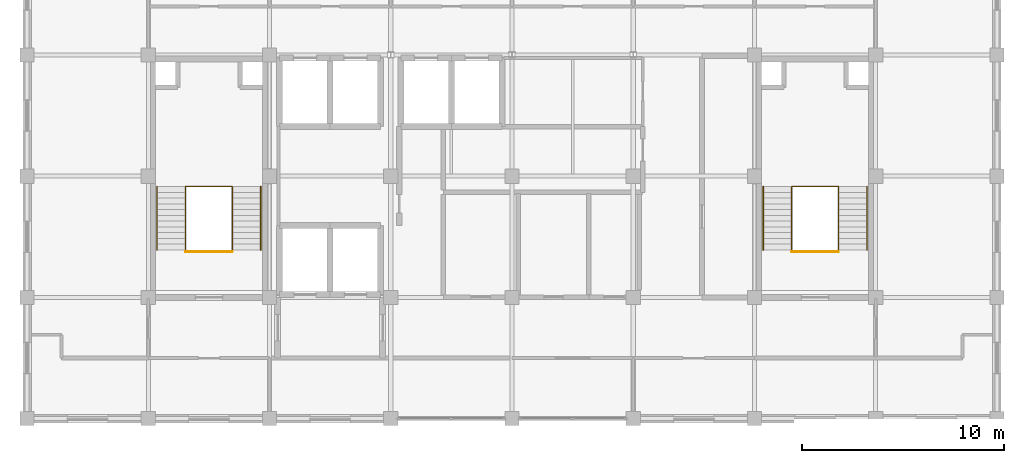
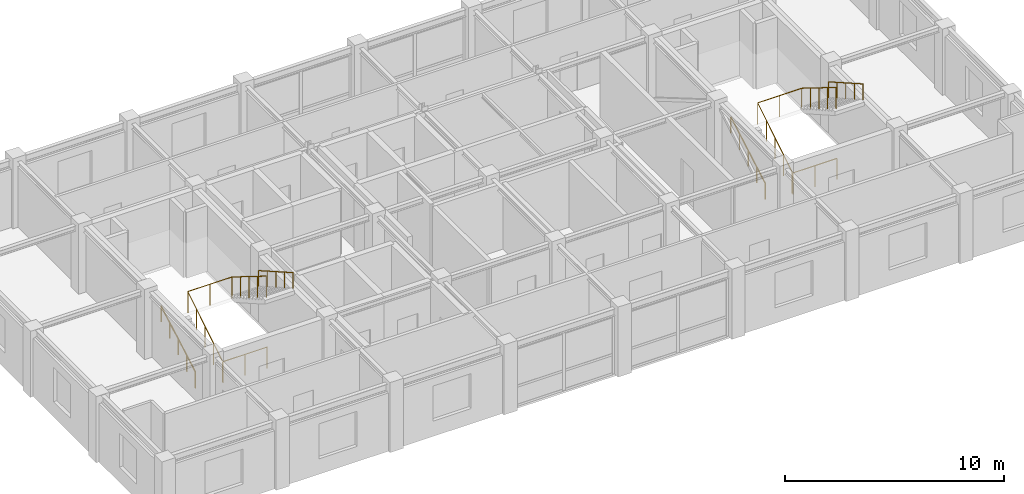
# One storey, part 11 of 11: 8 railings.
"""IFC4 building model written with IfcOpenShell, lengths in metres."""

from ifc_helpers import new_model, si_unit, direction, frame, origin, origin_2d, place, context, subcontext, project, spatial, circle, extrude, material, type_object, element, save


model = new_model("IFC4")

# Units and contexts
model_context = context("Model", 3, precision=1e-05, world=origin(), true_north=direction((0.0, 1.0)))
body_context = subcontext(model_context, "Body", "Model", "MODEL_VIEW")
ifc_project = project(units=[si_unit("LENGTHUNIT", "METRE"), si_unit("AREAUNIT", "SQUARE_METRE"), si_unit("VOLUMEUNIT", "CUBIC_METRE"), si_unit("PLANEANGLEUNIT", "RADIAN"), si_unit("MASSUNIT", "GRAM", prefix="KILO")], contexts=[model_context])

# Site, building, storey
site_placement = place(None, origin())
site = spatial("IfcSite", under=ifc_project, at=site_placement, CompositionType="ELEMENT")
building_placement = place(site_placement, origin())
building = spatial("IfcBuilding", under=site, at=building_placement, Name="Zlatovratsky Civic Hall", CompositionType="ELEMENT")
storey_placement = place(building_placement, frame((0.0, 0.0, 63.89990234375)))
storey = spatial("IfcBuildingStorey", under=building, at=storey_placement, Name="L16", CompositionType="ELEMENT", Elevation=63.89990234375)

# Railings
ifc_material = material(Name="Brushed stainless steel AISI 304", Category="steel")
railing_type_1 = type_object("IfcRailingType", Name="Railing_Guardrail_1200", PredefinedType="GUARDRAIL", material=ifc_material)
railing_1_placement = place(storey_placement, frame((67.840087890625, 86.35009765625, 0.0)))
element("IfcRailing", 1, at=railing_1_placement, inside=storey, type_object=railing_type_1, Name="RL-0564", PredefinedType="GUARDRAIL", context=body_context, shape_type="SweptSolid", body=[
    extrude(circle(Radius=0.02392578125, at=origin_2d()), frame((0.0, 0.0, 1.17578125), z_axis=(0.0, 0.849114602454, 0.528208663219), x_axis=(-1.0, 0.0, 0.0)), (0.0, 0.0, 1.0), 3.692138671875),
    extrude(circle(Radius=0.02392578125, at=origin_2d()), frame((0.0, 3.135009765625, 3.1259765625), z_axis=(1.0, 0.0, 0.0), x_axis=(0.0, 1.0, 0.0)), (0.0, 0.0, 1.0), 2.31982421875),
    extrude(circle(Radius=0.02392578125, at=origin_2d()), frame((2.31982421875, 3.135009765625, 3.1259765625), z_axis=(0.0, -0.849144259976, 0.528160984692), x_axis=(1.0, 0.0, 0.0)), (0.0, 0.0, 1.0), 3.69189453125),
    extrude(circle(Radius=0.02099609375, at=origin_2d()), origin(), (0.0, 0.0, 1.0), 1.15185546875),
    extrude(circle(Radius=0.02099609375, at=origin_2d()), frame((0.0, 0.78369140625, 0.487548828125)), (0.0, 0.0, 1.0), 1.15185546875),
    extrude(circle(Radius=0.02099609375, at=origin_2d()), frame((0.0, 1.5673828125, 0.97509765625)), (0.0, 0.0, 1.0), 1.15185546875),
    extrude(circle(Radius=0.02099609375, at=origin_2d()), frame((0.0, 2.351318359375, 1.462646484375)), (0.0, 0.0, 1.0), 1.15185546875),
    extrude(circle(Radius=0.02099609375, at=origin_2d()), frame((0.0, 3.135009765625, 1.9501953125)), (0.0, 0.0, 1.0), 1.15185546875),
    extrude(circle(Radius=0.02099609375, at=origin_2d()), frame((1.159912109375, 3.135009765625, 1.9501953125)), (0.0, 0.0, 1.0), 1.15185546875),
    extrude(circle(Radius=0.02099609375, at=origin_2d()), frame((2.31982421875, 3.135009765625, 1.9501953125)), (0.0, 0.0, 1.0), 1.15185546875),
    extrude(circle(Radius=0.02099609375, at=origin_2d()), frame((2.31982421875, 2.351318359375, 2.437744140625)), (0.0, 0.0, 1.0), 1.15185546875),
    extrude(circle(Radius=0.02099609375, at=origin_2d()), frame((2.31982421875, 1.5673828125, 2.92529296875)), (0.0, 0.0, 1.0), 1.15185546875),
    extrude(circle(Radius=0.02099609375, at=origin_2d()), frame((2.31982421875, 0.78369140625, 3.41259765625)), (0.0, 0.0, 1.0), 1.15185546875),
    extrude(circle(Radius=0.02099609375, at=origin_2d()), frame((2.31982421875, 0.0, 3.900146484375)), (0.0, 0.0, 1.0), 1.15185546875),
])
railing_2_placement = place(storey_placement, frame((67.840087890625, 86.27001953125, 0.0)))
element("IfcRailing", 2, at=railing_2_placement, inside=storey, type_object=railing_type_1, Name="RL-0567", PredefinedType="GUARDRAIL", context=body_context, shape_type="SweptSolid", body=[
    extrude(circle(Radius=0.02392578125, at=origin_2d()), frame((0.0, 0.0, 1.17578125), z_axis=(1.0, 0.0, 0.0), x_axis=(0.0, 1.0, 0.0)), (0.0, 0.0, 1.0), 2.31982421875),
    extrude(circle(Radius=0.02099609375, at=origin_2d()), origin(), (0.0, 0.0, 1.0), 1.15185546875),
    extrude(circle(Radius=0.02099609375, at=origin_2d()), frame((1.159912109375, 0.0, 0.0)), (0.0, 0.0, 1.0), 1.15185546875),
    extrude(circle(Radius=0.02099609375, at=origin_2d()), frame((2.31982421875, 0.0, 0.0)), (0.0, 0.0, 1.0), 1.15185546875),
])
railing_3_placement = place(storey_placement, frame((97.840087890625, 86.35009765625, 0.0)))
element("IfcRailing", 3, at=railing_3_placement, inside=storey, type_object=railing_type_1, Name="RL-0640", PredefinedType="GUARDRAIL", context=body_context, shape_type="SweptSolid", body=[
    extrude(circle(Radius=0.02392578125, at=origin_2d()), frame((0.0, 0.0, 1.17578125), z_axis=(0.0, 0.849114602454, 0.528208663219), x_axis=(-1.0, 0.0, 0.0)), (0.0, 0.0, 1.0), 3.692138671875),
    extrude(circle(Radius=0.02392578125, at=origin_2d()), frame((0.0, 3.135009765625, 3.1259765625), z_axis=(1.0, 0.0, 0.0), x_axis=(0.0, 1.0, 0.0)), (0.0, 0.0, 1.0), 2.31982421875),
    extrude(circle(Radius=0.02392578125, at=origin_2d()), frame((2.31982421875, 3.135009765625, 3.1259765625), z_axis=(0.0, -0.849144259976, 0.528160984692), x_axis=(1.0, 0.0, 0.0)), (0.0, 0.0, 1.0), 3.69189453125),
    extrude(circle(Radius=0.02099609375, at=origin_2d()), origin(), (0.0, 0.0, 1.0), 1.15185546875),
    extrude(circle(Radius=0.02099609375, at=origin_2d()), frame((0.0, 0.78369140625, 0.487548828125)), (0.0, 0.0, 1.0), 1.15185546875),
    extrude(circle(Radius=0.02099609375, at=origin_2d()), frame((0.0, 1.5673828125, 0.97509765625)), (0.0, 0.0, 1.0), 1.15185546875),
    extrude(circle(Radius=0.02099609375, at=origin_2d()), frame((0.0, 2.351318359375, 1.462646484375)), (0.0, 0.0, 1.0), 1.15185546875),
    extrude(circle(Radius=0.02099609375, at=origin_2d()), frame((0.0, 3.135009765625, 1.9501953125)), (0.0, 0.0, 1.0), 1.15185546875),
    extrude(circle(Radius=0.02099609375, at=origin_2d()), frame((1.159912109375, 3.135009765625, 1.9501953125)), (0.0, 0.0, 1.0), 1.15185546875),
    extrude(circle(Radius=0.02099609375, at=origin_2d()), frame((2.31982421875, 3.135009765625, 1.9501953125)), (0.0, 0.0, 1.0), 1.15185546875),
    extrude(circle(Radius=0.02099609375, at=origin_2d()), frame((2.31982421875, 2.351318359375, 2.437744140625)), (0.0, 0.0, 1.0), 1.15185546875),
    extrude(circle(Radius=0.02099609375, at=origin_2d()), frame((2.31982421875, 1.5673828125, 2.92529296875)), (0.0, 0.0, 1.0), 1.15185546875),
    extrude(circle(Radius=0.02099609375, at=origin_2d()), frame((2.31982421875, 0.78369140625, 3.41259765625)), (0.0, 0.0, 1.0), 1.15185546875),
    extrude(circle(Radius=0.02099609375, at=origin_2d()), frame((2.31982421875, 0.0, 3.900146484375)), (0.0, 0.0, 1.0), 1.15185546875),
])
railing_4_placement = place(storey_placement, frame((97.840087890625, 86.27001953125, 0.0)))
element("IfcRailing", 4, at=railing_4_placement, inside=storey, type_object=railing_type_1, Name="RL-0643", PredefinedType="GUARDRAIL", context=body_context, shape_type="SweptSolid", body=[
    extrude(circle(Radius=0.02392578125, at=origin_2d()), frame((0.0, 0.0, 1.17578125), z_axis=(1.0, 0.0, 0.0), x_axis=(0.0, 1.0, 0.0)), (0.0, 0.0, 1.0), 2.31982421875),
    extrude(circle(Radius=0.02099609375, at=origin_2d()), origin(), (0.0, 0.0, 1.0), 1.15185546875),
    extrude(circle(Radius=0.02099609375, at=origin_2d()), frame((1.159912109375, 0.0, 0.0)), (0.0, 0.0, 1.0), 1.15185546875),
    extrude(circle(Radius=0.02099609375, at=origin_2d()), frame((2.31982421875, 0.0, 0.0)), (0.0, 0.0, 1.0), 1.15185546875),
])
railing_type_2 = type_object("IfcRailingType", Name="Railing_Handrail_900", PredefinedType="HANDRAIL", material=ifc_material)
railing_5_placement = place(storey_placement, frame((66.429931640625, 86.35009765625, 0.162109375)))
element("IfcRailing", 5, at=railing_5_placement, inside=storey, type_object=railing_type_2, Name="RL-0565", PredefinedType="HANDRAIL", context=body_context, shape_type="SweptSolid", body=[
    extrude(circle(Radius=0.02392578125, at=origin_2d()), frame((0.0, 0.0, 0.8759765625), z_axis=(0.0, 0.868642492313, 0.495439421673), x_axis=(-1.0, 0.0, 0.0)), (0.0, 0.0, 1.0), 3.609130859375),
    extrude(circle(Radius=0.02099609375, at=origin_2d()), origin(), (0.0, 0.0, 1.0), 0.851806640625),
    extrude(circle(Radius=0.02099609375, at=origin_2d()), frame((0.0, 0.78369140625, 0.447021484375)), (0.0, 0.0, 1.0), 0.851806640625),
    extrude(circle(Radius=0.02099609375, at=origin_2d()), frame((0.0, 1.5673828125, 0.89404296875)), (0.0, 0.0, 1.0), 0.851806640625),
    extrude(circle(Radius=0.02099609375, at=origin_2d()), frame((0.0, 2.351318359375, 1.341064453125)), (0.0, 0.0, 1.0), 0.851806640625),
    extrude(circle(Radius=0.02099609375, at=origin_2d()), frame((0.0, 3.135009765625, 1.7880859375)), (0.0, 0.0, 1.0), 0.851806640625),
])
railing_6_placement = place(storey_placement, frame((71.570068359375, 89.485107421875, 2.112060546875)))
element("IfcRailing", 6, at=railing_6_placement, inside=storey, type_object=railing_type_2, Name="RL-0566", PredefinedType="HANDRAIL", context=body_context, shape_type="SweptSolid", body=[
    extrude(circle(Radius=0.02392578125, at=origin_2d()), frame((0.0, 0.0, 0.8759765625), z_axis=(0.0, -0.868642492313, 0.495439421673), x_axis=(1.0, 0.0, 0.0)), (0.0, 0.0, 1.0), 3.609130859375),
    extrude(circle(Radius=0.02099609375, at=origin_2d()), origin(), (0.0, 0.0, 1.0), 0.851806640625),
    extrude(circle(Radius=0.02099609375, at=origin_2d()), frame((0.0, -0.78369140625, 0.447021484375)), (0.0, 0.0, 1.0), 0.851806640625),
    extrude(circle(Radius=0.02099609375, at=origin_2d()), frame((0.0, -1.5673828125, 0.89404296875)), (0.0, 0.0, 1.0), 0.851806640625),
    extrude(circle(Radius=0.02099609375, at=origin_2d()), frame((0.0, -2.351318359375, 1.341064453125)), (0.0, 0.0, 1.0), 0.851806640625),
    extrude(circle(Radius=0.02099609375, at=origin_2d()), frame((0.0, -3.135009765625, 1.7880859375)), (0.0, 0.0, 1.0), 0.851806640625),
])
railing_7_placement = place(storey_placement, frame((96.429931640625, 86.35009765625, 0.162109375)))
element("IfcRailing", 7, at=railing_7_placement, inside=storey, type_object=railing_type_2, Name="RL-0641", PredefinedType="HANDRAIL", context=body_context, shape_type="SweptSolid", body=[
    extrude(circle(Radius=0.02392578125, at=origin_2d()), frame((0.0, 0.0, 0.8759765625), z_axis=(0.0, 0.868642492313, 0.495439421673), x_axis=(-1.0, 0.0, 0.0)), (0.0, 0.0, 1.0), 3.609130859375),
    extrude(circle(Radius=0.02099609375, at=origin_2d()), origin(), (0.0, 0.0, 1.0), 0.851806640625),
    extrude(circle(Radius=0.02099609375, at=origin_2d()), frame((0.0, 0.78369140625, 0.447021484375)), (0.0, 0.0, 1.0), 0.851806640625),
    extrude(circle(Radius=0.02099609375, at=origin_2d()), frame((0.0, 1.5673828125, 0.89404296875)), (0.0, 0.0, 1.0), 0.851806640625),
    extrude(circle(Radius=0.02099609375, at=origin_2d()), frame((0.0, 2.351318359375, 1.341064453125)), (0.0, 0.0, 1.0), 0.851806640625),
    extrude(circle(Radius=0.02099609375, at=origin_2d()), frame((0.0, 3.135009765625, 1.7880859375)), (0.0, 0.0, 1.0), 0.851806640625),
])
railing_8_placement = place(storey_placement, frame((101.570068359375, 89.485107421875, 2.112060546875)))
element("IfcRailing", 8, at=railing_8_placement, inside=storey, type_object=railing_type_2, Name="RL-0642", PredefinedType="HANDRAIL", context=body_context, shape_type="SweptSolid", body=[
    extrude(circle(Radius=0.02392578125, at=origin_2d()), frame((0.0, 0.0, 0.8759765625), z_axis=(0.0, -0.868642492313, 0.495439421673), x_axis=(1.0, 0.0, 0.0)), (0.0, 0.0, 1.0), 3.609130859375),
    extrude(circle(Radius=0.02099609375, at=origin_2d()), origin(), (0.0, 0.0, 1.0), 0.851806640625),
    extrude(circle(Radius=0.02099609375, at=origin_2d()), frame((0.0, -0.78369140625, 0.447021484375)), (0.0, 0.0, 1.0), 0.851806640625),
    extrude(circle(Radius=0.02099609375, at=origin_2d()), frame((0.0, -1.5673828125, 0.89404296875)), (0.0, 0.0, 1.0), 0.851806640625),
    extrude(circle(Radius=0.02099609375, at=origin_2d()), frame((0.0, -2.351318359375, 1.341064453125)), (0.0, 0.0, 1.0), 0.851806640625),
    extrude(circle(Radius=0.02099609375, at=origin_2d()), frame((0.0, -3.135009765625, 1.7880859375)), (0.0, 0.0, 1.0), 0.851806640625),
])

save(model, "model.ifc")
